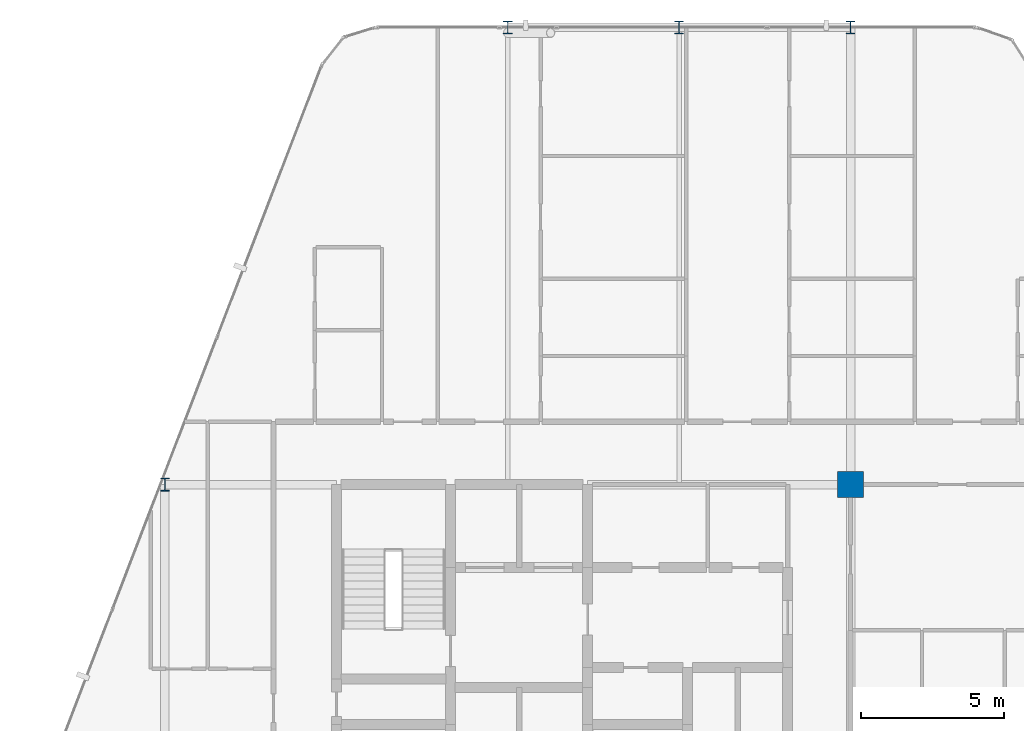
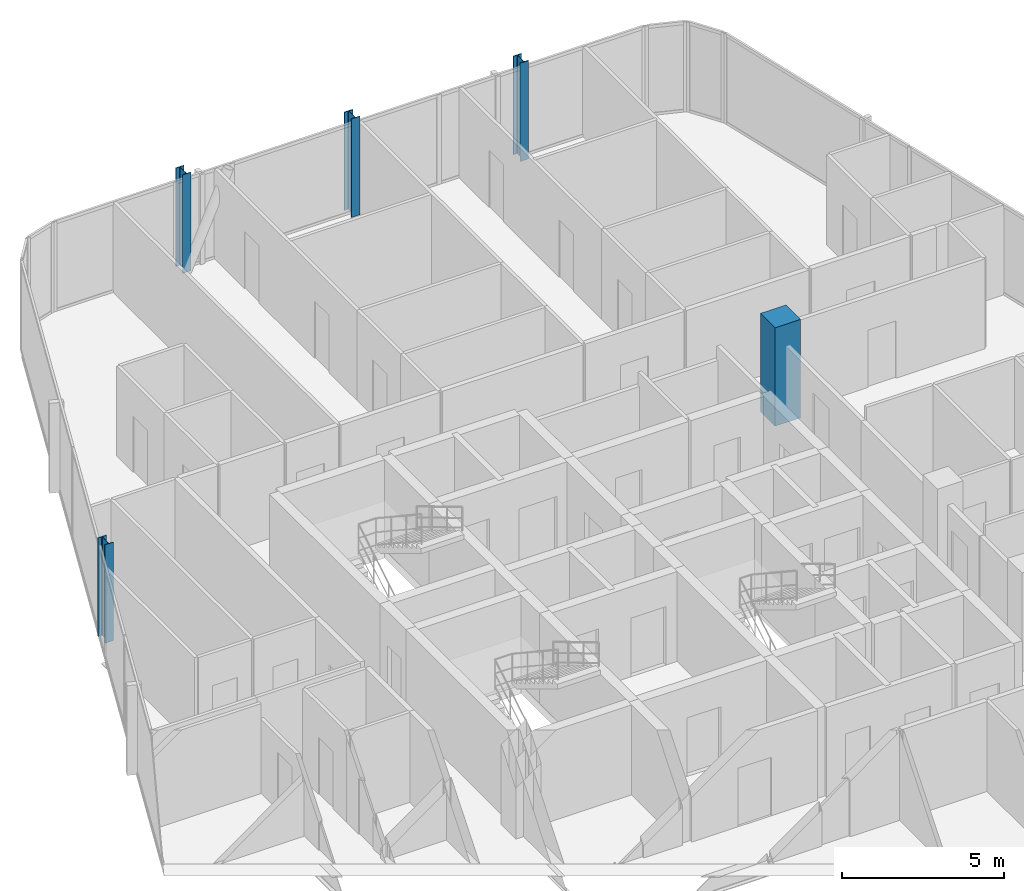
# One storey, part 3 of 29: 5 columns.
"""IFC4 building model written with IfcOpenShell, lengths in metres."""

from ifc_helpers import new_model, si_unit, direction, frame, origin, origin_2d, place, context, subcontext, project, spatial, rectangle, i_section, extrude, material, material_profile, profile_set, type_object, element, save


model = new_model("IFC4")

# Units and contexts
model_context = context("Model", 3, precision=1e-05, world=origin(), true_north=direction((0.0, 1.0)))
body_context = subcontext(model_context, "Body", "Model", "MODEL_VIEW")
ifc_project = project(units=[si_unit("LENGTHUNIT", "METRE"), si_unit("AREAUNIT", "SQUARE_METRE"), si_unit("VOLUMEUNIT", "CUBIC_METRE"), si_unit("PLANEANGLEUNIT", "RADIAN"), si_unit("MASSUNIT", "GRAM", prefix="KILO")], contexts=[model_context])

# Site, building, storey
site_placement = place(None, origin())
site = spatial("IfcSite", under=ifc_project, at=site_placement, CompositionType="ELEMENT")
building_placement = place(site_placement, origin())
building = spatial("IfcBuilding", under=site, at=building_placement, Name="Keshet Zoharim Tower", CompositionType="ELEMENT")
storey_placement = place(building_placement, frame((0.0, 0.0, 180.199951171875)))
storey = spatial("IfcBuildingStorey", under=building, at=storey_placement, Name="L44", CompositionType="ELEMENT", Elevation=180.199951171875)

# Columns
ifc_material_1 = material(Name="Steel S355", Category="steel")
ifc_material_profile_1 = material_profile(ifc_material_1, i_section(OverallWidth=0.300048828125, OverallDepth=0.449951171875, WebThickness=0.013916015625, FlangeThickness=0.02587890625, FilletRadius=0.027099609375, at=origin_2d()), Name="HEB450")
ifc_profile_set_1 = profile_set([ifc_material_profile_1], Name="Steel S355")
column_type_1 = type_object("IfcColumnType", Name="COL-HEB450", PredefinedType="COLUMN", material=ifc_profile_set_1)
for number, where, z_axis, x_axis, name in (
    (1, (9.0, 37.89990234375, 0.0), (0.0, 0.0, 1.0), (1.0, 0.0, 0.0), "L44 Column 2H"),
    (2, (21.0, 53.89990234375, 0.0), (0.0, 0.0, 1.0), (1.0, 0.0, 0.0), "L44 Column 4L"),
    (3, (27.0, 53.89990234375, 0.0), (0.0, 0.0, 1.0), (1.0, 0.0, 0.0), "L44 Column 5L"),
    (4, (33.0, 53.89990234375, 0.0), (0.0, 0.0, 1.0), (1.0, 0.0, 0.0), "L44 Column 6L"),
):
    element("IfcColumn", number, at=place(storey_placement, frame(where, z_axis=z_axis, x_axis=x_axis)), inside=storey, type_object=column_type_1, Name=name, PredefinedType="COLUMN", context=body_context, shape_type="SweptSolid", body=[
        extrude(i_section(OverallWidth=0.300048828125, OverallDepth=0.449951171875, WebThickness=0.013916015625, FlangeThickness=0.02587890625, FilletRadius=0.027099609375, at=origin_2d()), origin(), (0.0, 0.0, 1.0), 3.699951171875),
    ])
ifc_material_2 = material(Name="Concrete C60/75", Category="concrete")
ifc_material_profile_2 = material_profile(ifc_material_2, rectangle(XDim=0.89990234375, YDim=0.89990234375, at=origin_2d()), Name="RC900x900")
ifc_profile_set_2 = profile_set([ifc_material_profile_2], Name="Concrete C60/75")
column_type_2 = type_object("IfcColumnType", Name="COL-RC900", PredefinedType="COLUMN", material=ifc_profile_set_2)
column_placement = place(storey_placement, frame((33.0, 37.89990234375, 0.0), z_axis=(0.0, 0.0, 1.0), x_axis=(1.0, 0.0, 0.0)))
element("IfcColumn", 5, at=column_placement, inside=storey, type_object=column_type_2, Name="L44 Column 6H", PredefinedType="COLUMN", context=body_context, shape_type="SweptSolid", body=[
    extrude(rectangle(XDim=0.89990234375, YDim=0.89990234375, at=origin_2d()), origin(), (0.0, 0.0, 1.0), 3.699951171875),
])

save(model, "model.ifc")
